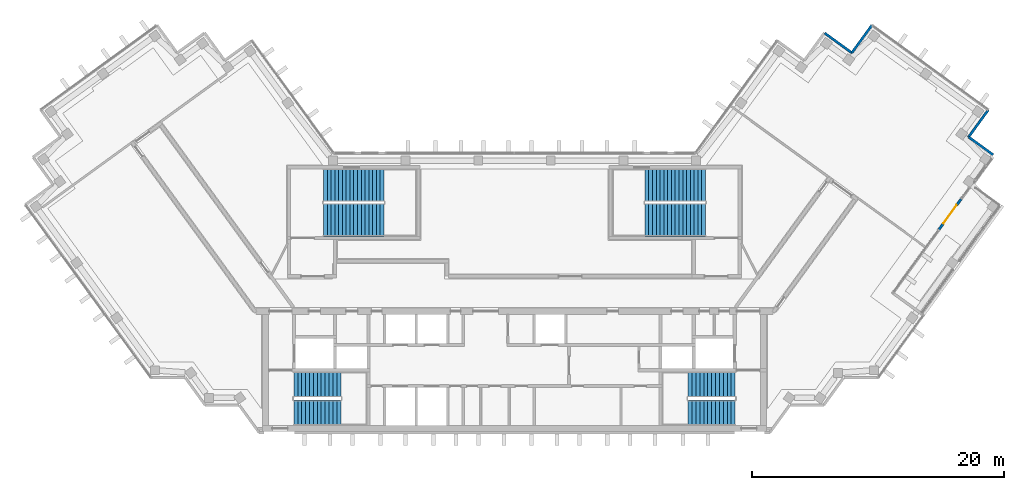
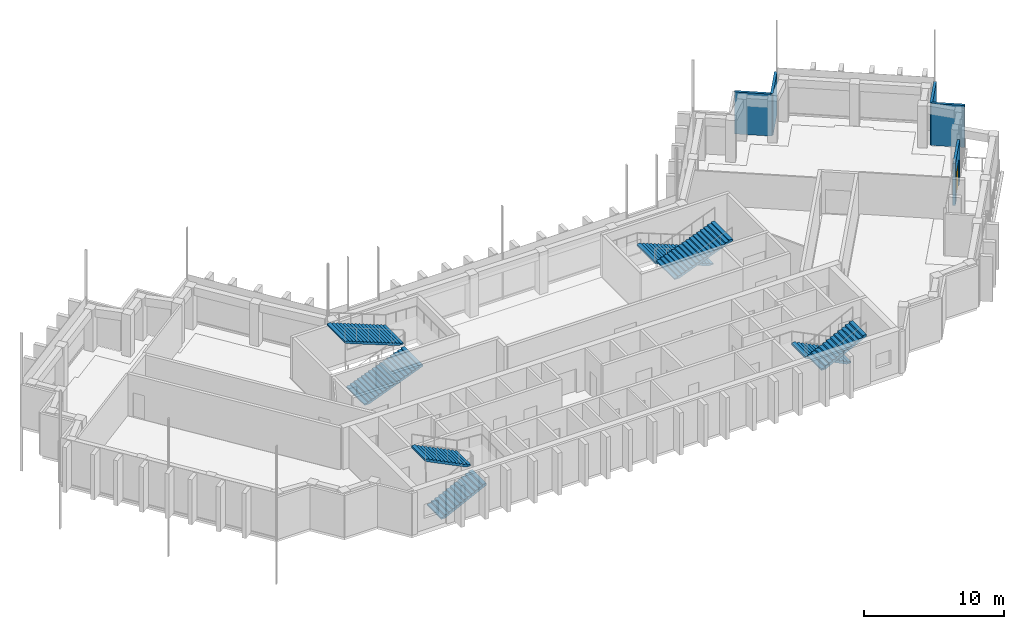
# One storey, part 12 of 14: 8 stair flights, 5 walls, 1 door, 1 opening, 4 elements without a shape of their own.
"""IFC4 building model written with IfcOpenShell, lengths in metres."""

from ifc_helpers import new_model, si_unit, direction, frame, frame_2d, origin, place, context, subcontext, project, spatial, polyline, rectangle, outline, extrude, material, type_object, element, fill, aggregate, save


model = new_model("IFC4")

# Units and contexts
model_context = context("Model", 3, precision=1e-05, world=origin(), true_north=direction((0.0, 1.0)))
body_context = subcontext(model_context, "Body", "Model", "MODEL_VIEW")
ifc_project = project(units=[si_unit("LENGTHUNIT", "METRE"), si_unit("AREAUNIT", "SQUARE_METRE"), si_unit("VOLUMEUNIT", "CUBIC_METRE"), si_unit("PLANEANGLEUNIT", "RADIAN"), si_unit("MASSUNIT", "GRAM", prefix="KILO")], contexts=[model_context])

# Site, building, storey
site_placement = place(None, origin())
site = spatial("IfcSite", under=ifc_project, at=site_placement, CompositionType="ELEMENT")
building_placement = place(site_placement, origin())
building = spatial("IfcBuilding", under=site, at=building_placement, Name="Quipu Civic Tower", CompositionType="ELEMENT")
storey_placement = place(building_placement, frame((0.0, 0.0, 311.0)))
storey = spatial("IfcBuildingStorey", under=building, at=storey_placement, Name="L72", CompositionType="ELEMENT", Elevation=311.0)

# Walls
ifc_material_1 = material(Name="Precast concrete C40/50", Category="concrete")
wall_type_1 = type_object("IfcWallType", Name="Precast cladding wall", PredefinedType="SOLIDWALL", material=ifc_material_1)
wall_1_placement = place(storey_placement, frame((37.9736328125, 10.9580078125, 0.0), z_axis=(0.0, 0.0, 1.0), x_axis=(-0.809026317077, 0.587772420479, 0.0)))
element("IfcWall", 1, at=wall_1_placement, inside=storey, type_object=wall_type_1, Name="Precast cladding wall L72 7", PredefinedType="SOLIDWALL", context=body_context, shape_type="SweptSolid", body=[
    extrude(rectangle(XDim=2.39990234375, YDim=0.199951171875, at=frame_2d((1.199951171875, 0.0))), origin(), (0.0, 0.0, 1.0), 3.64990234375),
])
wall_2_placement = place(storey_placement, frame((36.0048828125, 12.3515625, 0.0), z_axis=(0.0, 0.0, 1.0), x_axis=(0.587762999008, 0.809033161865, 0.0)))
element("IfcWall", 2, at=wall_2_placement, inside=storey, type_object=wall_type_1, Name="Precast cladding wall L72 P01", PredefinedType="SOLIDWALL", context=body_context, shape_type="SweptSolid", body=[
    extrude(rectangle(XDim=2.699951171875, YDim=0.199951171875, at=frame_2d((1.35009765625, 0.0))), origin(), (0.0, 0.0, 1.0), 3.64990234375),
])
for number, where, z_axis, x_axis, name in (
    (3, (28.3544921875, 21.247314453125, 0.0), (0.0, 0.0, 1.0), (-0.587720002413, -0.809064397168, 0.0), "Precast cladding wall L72 P03"),
    (4, (26.78466796875, 19.03564453125, 0.0), (0.0, 0.0, 1.0), (-0.809064397168, 0.587720002413, 0.0), "Precast cladding wall L72 P04"),
):
    element("IfcWall", number, at=place(storey_placement, frame(where, z_axis=z_axis, x_axis=x_axis)), inside=storey, type_object=wall_type_1, Name=name, PredefinedType="SOLIDWALL", context=body_context, shape_type="SweptSolid", body=[
        extrude(rectangle(XDim=2.7001953125, YDim=0.199951171875, at=frame_2d((1.35009765625, 0.0))), origin(), (0.0, 0.0, 1.0), 3.64990234375),
    ])

# Wall, opening, door
ifc_material_2 = material(Name="Precast concrete C40/50", Category="concrete")
wall_type_2 = type_object("IfcWallType", Name="Precast door surround", PredefinedType="SOLIDWALL", material=ifc_material_2)
wall_3_placement = place(storey_placement, frame((35.42822265625, 7.45458984375, 0.0), z_axis=(0.0, 0.0, 1.0), x_axis=(-0.587755461469, -0.809038637837, 0.0)))
wall_3 = element("IfcWall", 5, at=wall_3_placement, inside=storey, type_object=wall_type_2, Name="Door surround ED-L72-1", PredefinedType="SOLIDWALL", context=body_context, shape_type="SweptSolid", body=[
    extrude(rectangle(XDim=2.999755859375, YDim=0.199951171875, at=frame_2d((1.5, 0.0))), origin(), (0.0, 0.0, 1.0), 3.64990234375),
])
opening_placement = place(wall_3_placement, frame((0.60009765625, 0.0, 0.0)))
opening = element("IfcOpeningElement", 6, at=opening_placement, cuts=wall_3, Name="Opening ED-L72-1", PredefinedType="OPENING", context=body_context, shape_type="SweptSolid", body=[
    extrude(rectangle(XDim=1.800048828125, YDim=2.39990234375, at=frame_2d((0.89990234375, 1.199951171875))), frame((0.0, 0.10986328125, 0.0), z_axis=(0.0, -1.0, 0.0), x_axis=(1.0, 0.0, 0.0)), (0.0, 0.0, 1.0), 0.219970703125),
])
ifc_material_3 = material(Name="Aluminium framed glazed door", Category="aluminium")
door_type = type_object("IfcDoorType", Name="Terrace door E3", OperationType="DOUBLE_DOOR_SINGLE_SWING", PredefinedType="DOOR", material=ifc_material_3)
door_placement = place(opening_placement, origin())
door = element("IfcDoor", 7, at=door_placement, inside=storey, type_object=door_type, Name="E3 door ED-L72-1", OperationType="DOUBLE_DOOR_SINGLE_SWING", OverallHeight=2.39990234375, OverallWidth=1.800048828125, PredefinedType="DOOR", context=body_context, shape_type="SweptSolid", body=[
    extrude(rectangle(XDim=1.800048828125, YDim=2.39990234375, at=frame_2d((0.89990234375, 1.199951171875))), frame((0.0, 0.02490234375, 0.0), z_axis=(0.0, -1.0, 0.0), x_axis=(1.0, 0.0, 0.0)), (0.0, 0.0, 1.0), 0.050048828125),
])
fill(opening, door)

# Stair, stair flights
ifc_material_4 = material(Name="Concrete C40/50", Category="concrete")
stair_type_1 = type_object("IfcStairType", Name="Half turn stair 2000", PredefinedType="HALF_TURN_STAIR", material=ifc_material_4)
stair_1_placement = place(storey_placement, origin())
stair_1 = element("IfcStair", 8, at=stair_1_placement, inside=storey, type_object=stair_type_1, Name="Exit stair 1", PredefinedType="HALF_TURN_STAIR")
ifc_material_5 = material(Name="Concrete C40/50", Category="concrete")
stair_flight_type_1 = type_object("IfcStairFlightType", Name="Stair flight 2000", PredefinedType="STRAIGHT", material=ifc_material_5)
stair_flight_1_placement = place(storey_placement, frame((-17.5, -9.5, 0.0), z_axis=(0.0, 0.0, 1.0), x_axis=(1.0, 0.0, 0.0)))
stair_flight_1 = element("IfcStairFlight", 9, at=stair_flight_1_placement, type_object=stair_flight_type_1, Name="ST-1 flight 1", NumberOfRisers=13, NumberOfTreads=12, PredefinedType="STRAIGHT", RiserHeight=0.153846154, TreadLength=0.31, context=body_context, shape_type="SweptSolid", body=[
    extrude(outline(polyline([(0.0, 0.0), (0.0, 0.15380859375), (0.31005859375, 0.15380859375), (0.31005859375, 0.3076171875), (0.6201171875, 0.3076171875), (0.6201171875, 0.46142578125), (0.929931640625, 0.46142578125), (0.929931640625, 0.615478515625), (1.239990234375, 0.615478515625), (1.239990234375, 0.769287109375), (1.550048828125, 0.769287109375), (1.550048828125, 0.923095703125), (1.860107421875, 0.923095703125), (1.860107421875, 1.076904296875), (2.169921875, 1.076904296875), (2.169921875, 1.230712890625), (2.47998046875, 1.230712890625), (2.47998046875, 1.384521484375), (2.7900390625, 1.384521484375), (2.7900390625, 1.53857421875), (3.10009765625, 1.53857421875), (3.10009765625, 1.6923828125), (3.409912109375, 1.6923828125), (3.409912109375, 1.84619140625), (3.719970703125, 1.84619140625), (3.719970703125, 2.0), (3.719970703125, 1.6787109375), (0.337158203125, 0.0), (0.0, 0.0)])), frame((0.0, 1.0, 0.0), z_axis=(0.0, -1.0, 0.0), x_axis=(1.0, 0.0, 0.0)), (0.0, 0.0, 1.0), 2.0),
])
stair_flight_2_placement = place(storey_placement, frame((-13.780029296875, -7.25, 2.0), z_axis=(0.0, 0.0, 1.0), x_axis=(-1.0, 0.0, 0.0)))
stair_flight_2 = element("IfcStairFlight", 10, at=stair_flight_2_placement, type_object=stair_flight_type_1, Name="ST-1 flight 2", NumberOfRisers=13, NumberOfTreads=12, PredefinedType="STRAIGHT", RiserHeight=0.153846154, TreadLength=0.31, context=body_context, shape_type="SweptSolid", body=[
    extrude(outline(polyline([(0.0, 0.0), (0.0, 0.15380859375), (0.31005859375, 0.15380859375), (0.31005859375, 0.3076171875), (0.6201171875, 0.3076171875), (0.6201171875, 0.46142578125), (0.929931640625, 0.46142578125), (0.929931640625, 0.615478515625), (1.239990234375, 0.615478515625), (1.239990234375, 0.769287109375), (1.550048828125, 0.769287109375), (1.550048828125, 0.923095703125), (1.860107421875, 0.923095703125), (1.860107421875, 1.076904296875), (2.169921875, 1.076904296875), (2.169921875, 1.230712890625), (2.47998046875, 1.230712890625), (2.47998046875, 1.384521484375), (2.7900390625, 1.384521484375), (2.7900390625, 1.53857421875), (3.10009765625, 1.53857421875), (3.10009765625, 1.6923828125), (3.409912109375, 1.6923828125), (3.409912109375, 1.84619140625), (3.719970703125, 1.84619140625), (3.719970703125, 2.0), (3.719970703125, 1.6787109375), (0.337158203125, 0.0), (0.0, 0.0)])), frame((0.0, 1.0, 0.0), z_axis=(0.0, -1.0, 0.0), x_axis=(1.0, 0.0, 0.0)), (0.0, 0.0, 1.0), 2.0),
])
aggregate(stair_1, [stair_flight_1, stair_flight_2])

stair_2_placement = place(storey_placement, origin())
stair_2 = element("IfcStair", 11, at=stair_2_placement, inside=storey, type_object=stair_type_1, Name="Exit stair 2", PredefinedType="HALF_TURN_STAIR")
stair_flight_3_placement = place(storey_placement, frame((17.5, -7.25, 0.0), z_axis=(0.0, 0.0, 1.0), x_axis=(-1.0, 0.0, 0.0)))
stair_flight_3 = element("IfcStairFlight", 12, at=stair_flight_3_placement, type_object=stair_flight_type_1, Name="ST-2 flight 1", NumberOfRisers=13, NumberOfTreads=12, PredefinedType="STRAIGHT", RiserHeight=0.153846154, TreadLength=0.31, context=body_context, shape_type="SweptSolid", body=[
    extrude(outline(polyline([(0.0, 0.0), (0.0, 0.15380859375), (0.31005859375, 0.15380859375), (0.31005859375, 0.3076171875), (0.6201171875, 0.3076171875), (0.6201171875, 0.46142578125), (0.929931640625, 0.46142578125), (0.929931640625, 0.615478515625), (1.239990234375, 0.615478515625), (1.239990234375, 0.769287109375), (1.550048828125, 0.769287109375), (1.550048828125, 0.923095703125), (1.860107421875, 0.923095703125), (1.860107421875, 1.076904296875), (2.169921875, 1.076904296875), (2.169921875, 1.230712890625), (2.47998046875, 1.230712890625), (2.47998046875, 1.384521484375), (2.7900390625, 1.384521484375), (2.7900390625, 1.53857421875), (3.10009765625, 1.53857421875), (3.10009765625, 1.6923828125), (3.409912109375, 1.6923828125), (3.409912109375, 1.84619140625), (3.719970703125, 1.84619140625), (3.719970703125, 2.0), (3.719970703125, 1.6787109375), (0.337158203125, 0.0), (0.0, 0.0)])), frame((0.0, 1.0, 0.0), z_axis=(0.0, -1.0, 0.0), x_axis=(1.0, 0.0, 0.0)), (0.0, 0.0, 1.0), 2.0),
])
stair_flight_4_placement = place(storey_placement, frame((13.780029296875, -9.5, 2.0), z_axis=(0.0, 0.0, 1.0), x_axis=(1.0, 0.0, 0.0)))
stair_flight_4 = element("IfcStairFlight", 13, at=stair_flight_4_placement, type_object=stair_flight_type_1, Name="ST-2 flight 2", NumberOfRisers=13, NumberOfTreads=12, PredefinedType="STRAIGHT", RiserHeight=0.153846154, TreadLength=0.31, context=body_context, shape_type="SweptSolid", body=[
    extrude(outline(polyline([(0.0, 0.0), (0.0, 0.15380859375), (0.31005859375, 0.15380859375), (0.31005859375, 0.3076171875), (0.6201171875, 0.3076171875), (0.6201171875, 0.46142578125), (0.929931640625, 0.46142578125), (0.929931640625, 0.615478515625), (1.239990234375, 0.615478515625), (1.239990234375, 0.769287109375), (1.550048828125, 0.769287109375), (1.550048828125, 0.923095703125), (1.860107421875, 0.923095703125), (1.860107421875, 1.076904296875), (2.169921875, 1.076904296875), (2.169921875, 1.230712890625), (2.47998046875, 1.230712890625), (2.47998046875, 1.384521484375), (2.7900390625, 1.384521484375), (2.7900390625, 1.53857421875), (3.10009765625, 1.53857421875), (3.10009765625, 1.6923828125), (3.409912109375, 1.6923828125), (3.409912109375, 1.84619140625), (3.719970703125, 1.84619140625), (3.719970703125, 2.0), (3.719970703125, 1.6787109375), (0.337158203125, 0.0), (0.0, 0.0)])), frame((0.0, 1.0, 0.0), z_axis=(0.0, -1.0, 0.0), x_axis=(1.0, 0.0, 0.0)), (0.0, 0.0, 1.0), 2.0),
])
aggregate(stair_2, [stair_flight_3, stair_flight_4])

ifc_material_6 = material(Name="Concrete C40/50", Category="concrete")
stair_type_2 = type_object("IfcStairType", Name="Half turn stair 2600", PredefinedType="HALF_TURN_STAIR", material=ifc_material_6)
stair_3_placement = place(storey_placement, origin())
stair_3 = element("IfcStair", 14, at=stair_3_placement, inside=storey, type_object=stair_type_2, Name="Exit stair 3", PredefinedType="HALF_TURN_STAIR")
ifc_material_7 = material(Name="Concrete C40/50", Category="concrete")
stair_flight_type_2 = type_object("IfcStairFlightType", Name="Stair flight 2600", PredefinedType="STRAIGHT", material=ifc_material_7)
stair_flight_5_placement = place(storey_placement, frame((-15.14990234375, 5.800048828125, 0.0), z_axis=(0.0, 0.0, 1.0), x_axis=(1.0, 0.0, 0.0)))
stair_flight_5 = element("IfcStairFlight", 15, at=stair_flight_5_placement, type_object=stair_flight_type_2, Name="ST-3 flight 1", NumberOfRisers=17, NumberOfTreads=16, PredefinedType="STRAIGHT", RiserHeight=0.117647059, TreadLength=0.3, context=body_context, shape_type="SweptSolid", body=[
    extrude(outline(polyline([(0.0, 0.0), (0.0, 0.11767578125), (0.300048828125, 0.11767578125), (0.300048828125, 0.2353515625), (0.60009765625, 0.2353515625), (0.60009765625, 0.35302734375), (0.89990234375, 0.35302734375), (0.89990234375, 0.470703125), (1.199951171875, 0.470703125), (1.199951171875, 0.588134765625), (1.5, 0.588134765625), (1.5, 0.705810546875), (1.800048828125, 0.705810546875), (1.800048828125, 0.823486328125), (2.10009765625, 0.823486328125), (2.10009765625, 0.941162109375), (2.39990234375, 0.941162109375), (2.39990234375, 1.058837890625), (2.699951171875, 1.058837890625), (2.699951171875, 1.176513671875), (3.0, 1.176513671875), (3.0, 1.294189453125), (3.300048828125, 1.294189453125), (3.300048828125, 1.411865234375), (3.60009765625, 1.411865234375), (3.60009765625, 1.529296875), (3.89990234375, 1.529296875), (3.89990234375, 1.64697265625), (4.199951171875, 1.64697265625), (4.199951171875, 1.7646484375), (4.5, 1.7646484375), (4.5, 1.88232421875), (4.800048828125, 1.88232421875), (4.800048828125, 2.0), (4.800048828125, 1.721435546875), (0.41064453125, 0.0), (0.0, 0.0)])), frame((0.0, 1.300048828125, 0.0), z_axis=(0.0, -1.0, 0.0), x_axis=(1.0, 0.0, 0.0)), (0.0, 0.0, 1.0), 2.60009765625),
])
stair_flight_6_placement = place(storey_placement, frame((-10.35009765625, 8.550048828125, 2.0), z_axis=(0.0, 0.0, 1.0), x_axis=(-1.0, 0.0, 0.0)))
stair_flight_6 = element("IfcStairFlight", 16, at=stair_flight_6_placement, type_object=stair_flight_type_2, Name="ST-3 flight 2", NumberOfRisers=17, NumberOfTreads=16, PredefinedType="STRAIGHT", RiserHeight=0.117647059, TreadLength=0.3, context=body_context, shape_type="SweptSolid", body=[
    extrude(outline(polyline([(0.0, 0.0), (0.0, 0.11767578125), (0.300048828125, 0.11767578125), (0.300048828125, 0.2353515625), (0.60009765625, 0.2353515625), (0.60009765625, 0.35302734375), (0.89990234375, 0.35302734375), (0.89990234375, 0.470703125), (1.199951171875, 0.470703125), (1.199951171875, 0.588134765625), (1.5, 0.588134765625), (1.5, 0.705810546875), (1.800048828125, 0.705810546875), (1.800048828125, 0.823486328125), (2.10009765625, 0.823486328125), (2.10009765625, 0.941162109375), (2.39990234375, 0.941162109375), (2.39990234375, 1.058837890625), (2.699951171875, 1.058837890625), (2.699951171875, 1.176513671875), (3.0, 1.176513671875), (3.0, 1.294189453125), (3.300048828125, 1.294189453125), (3.300048828125, 1.411865234375), (3.60009765625, 1.411865234375), (3.60009765625, 1.529296875), (3.89990234375, 1.529296875), (3.89990234375, 1.64697265625), (4.199951171875, 1.64697265625), (4.199951171875, 1.7646484375), (4.5, 1.7646484375), (4.5, 1.88232421875), (4.800048828125, 1.88232421875), (4.800048828125, 2.0), (4.800048828125, 1.721435546875), (0.41064453125, 0.0), (0.0, 0.0)])), frame((0.0, 1.300048828125, 0.0), z_axis=(0.0, -1.0, 0.0), x_axis=(1.0, 0.0, 0.0)), (0.0, 0.0, 1.0), 2.60009765625),
])
aggregate(stair_3, [stair_flight_5, stair_flight_6])

stair_4_placement = place(storey_placement, origin())
stair_4 = element("IfcStair", 17, at=stair_4_placement, inside=storey, type_object=stair_type_2, Name="Exit stair 4", PredefinedType="HALF_TURN_STAIR")
stair_flight_7_placement = place(storey_placement, frame((15.14990234375, 8.550048828125, 0.0), z_axis=(0.0, 0.0, 1.0), x_axis=(-1.0, 0.0, 0.0)))
stair_flight_7 = element("IfcStairFlight", 18, at=stair_flight_7_placement, type_object=stair_flight_type_2, Name="ST-4 flight 1", NumberOfRisers=17, NumberOfTreads=16, PredefinedType="STRAIGHT", RiserHeight=0.117647059, TreadLength=0.3, context=body_context, shape_type="SweptSolid", body=[
    extrude(outline(polyline([(0.0, 0.0), (0.0, 0.11767578125), (0.300048828125, 0.11767578125), (0.300048828125, 0.2353515625), (0.60009765625, 0.2353515625), (0.60009765625, 0.35302734375), (0.89990234375, 0.35302734375), (0.89990234375, 0.470703125), (1.199951171875, 0.470703125), (1.199951171875, 0.588134765625), (1.5, 0.588134765625), (1.5, 0.705810546875), (1.800048828125, 0.705810546875), (1.800048828125, 0.823486328125), (2.10009765625, 0.823486328125), (2.10009765625, 0.941162109375), (2.39990234375, 0.941162109375), (2.39990234375, 1.058837890625), (2.699951171875, 1.058837890625), (2.699951171875, 1.176513671875), (3.0, 1.176513671875), (3.0, 1.294189453125), (3.300048828125, 1.294189453125), (3.300048828125, 1.411865234375), (3.60009765625, 1.411865234375), (3.60009765625, 1.529296875), (3.89990234375, 1.529296875), (3.89990234375, 1.64697265625), (4.199951171875, 1.64697265625), (4.199951171875, 1.7646484375), (4.5, 1.7646484375), (4.5, 1.88232421875), (4.800048828125, 1.88232421875), (4.800048828125, 2.0), (4.800048828125, 1.721435546875), (0.41064453125, 0.0), (0.0, 0.0)])), frame((0.0, 1.300048828125, 0.0), z_axis=(0.0, -1.0, 0.0), x_axis=(1.0, 0.0, 0.0)), (0.0, 0.0, 1.0), 2.60009765625),
])
stair_flight_8_placement = place(storey_placement, frame((10.35009765625, 5.800048828125, 2.0), z_axis=(0.0, 0.0, 1.0), x_axis=(1.0, 0.0, 0.0)))
stair_flight_8 = element("IfcStairFlight", 19, at=stair_flight_8_placement, type_object=stair_flight_type_2, Name="ST-4 flight 2", NumberOfRisers=17, NumberOfTreads=16, PredefinedType="STRAIGHT", RiserHeight=0.117647059, TreadLength=0.3, context=body_context, shape_type="SweptSolid", body=[
    extrude(outline(polyline([(0.0, 0.0), (0.0, 0.11767578125), (0.300048828125, 0.11767578125), (0.300048828125, 0.2353515625), (0.60009765625, 0.2353515625), (0.60009765625, 0.35302734375), (0.89990234375, 0.35302734375), (0.89990234375, 0.470703125), (1.199951171875, 0.470703125), (1.199951171875, 0.588134765625), (1.5, 0.588134765625), (1.5, 0.705810546875), (1.800048828125, 0.705810546875), (1.800048828125, 0.823486328125), (2.10009765625, 0.823486328125), (2.10009765625, 0.941162109375), (2.39990234375, 0.941162109375), (2.39990234375, 1.058837890625), (2.699951171875, 1.058837890625), (2.699951171875, 1.176513671875), (3.0, 1.176513671875), (3.0, 1.294189453125), (3.300048828125, 1.294189453125), (3.300048828125, 1.411865234375), (3.60009765625, 1.411865234375), (3.60009765625, 1.529296875), (3.89990234375, 1.529296875), (3.89990234375, 1.64697265625), (4.199951171875, 1.64697265625), (4.199951171875, 1.7646484375), (4.5, 1.7646484375), (4.5, 1.88232421875), (4.800048828125, 1.88232421875), (4.800048828125, 2.0), (4.800048828125, 1.721435546875), (0.41064453125, 0.0), (0.0, 0.0)])), frame((0.0, 1.300048828125, 0.0), z_axis=(0.0, -1.0, 0.0), x_axis=(1.0, 0.0, 0.0)), (0.0, 0.0, 1.0), 2.60009765625),
])
aggregate(stair_4, [stair_flight_7, stair_flight_8])

save(model, "model.ifc")
